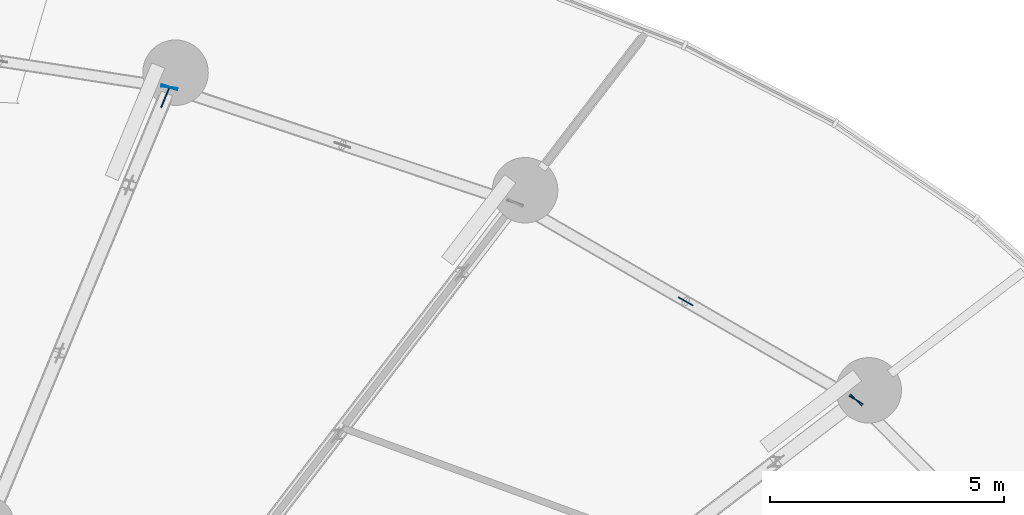
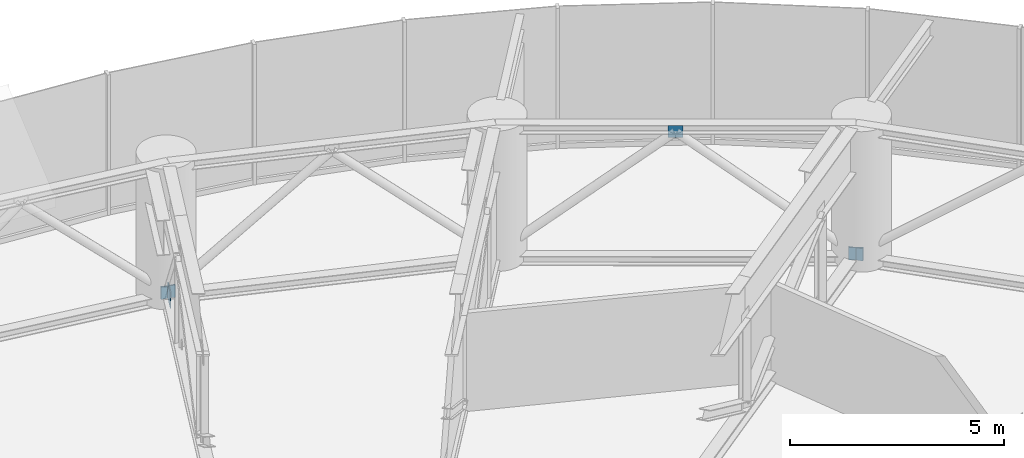
# One storey, part 37 of 42: 6 discrete accessories.
"""IFC4 building model written with IfcOpenShell, lengths in metres."""

from ifc_helpers import new_model, si_unit, direction, frame, origin, origin_2d, place, context, subcontext, project, spatial, rectangle, extrude, source, transform, mapped, material, layer, layer_set, type_object, element, save


model = new_model("IFC4")

# Units and contexts
model_context = context("Model", 3, precision=1e-05, world=origin(), true_north=direction((0.0, 1.0)))
body_context = subcontext(model_context, "Body", "Model", "MODEL_VIEW")
ifc_project = project(units=[si_unit("LENGTHUNIT", "METRE"), si_unit("AREAUNIT", "SQUARE_METRE"), si_unit("VOLUMEUNIT", "CUBIC_METRE"), si_unit("PLANEANGLEUNIT", "RADIAN"), si_unit("MASSUNIT", "GRAM", prefix="KILO")], contexts=[model_context])

# Site, building, storey
site_placement = place(None, origin())
site = spatial("IfcSite", under=ifc_project, at=site_placement, CompositionType="ELEMENT")
building_placement = place(site_placement, origin())
building = spatial("IfcBuilding", under=site, at=building_placement, Name="Spindrift Exchange Tower", CompositionType="ELEMENT")
storey_placement = place(building_placement, frame((0.0, 0.0, 75.39990234375)))
storey = spatial("IfcBuildingStorey", under=building, at=storey_placement, Name="L17", CompositionType="ELEMENT", Elevation=75.39990234375)

# Discrete accessories
ifc_material = material(Name="Steel Grade 350", Category="steel")
ifc_layer_1 = layer(ifc_material, 0.02490234375)
ifc_layer_set_1 = layer_set([ifc_layer_1], Name="Gusset plate 450x450x25 Steel Grade 350")
discrete_accessory_type_1 = type_object("IfcDiscreteAccessoryType", Name="Gusset plate 450x450x25 Steel Grade 350", PredefinedType="USERDEFINED", material=ifc_layer_set_1)
shared_shape_1 = source(origin(), body_context, "Body", "SweptSolid", [
    extrude(rectangle(XDim=0.449951171875, YDim=0.02490234375, at=origin_2d()), origin(), (0.0, 0.0, 1.0), 0.449951171875),
])
discrete_accessory_placement = place(storey_placement, frame((62.80078125, 74.075439453125, 0.10205078125), z_axis=(0.0, 0.0, 1.0), x_axis=(0.382664082593, 0.923887547212, 0.0)))
element("IfcDiscreteAccessory", 1, at=discrete_accessory_placement, inside=storey, type_object=discrete_accessory_type_1, Name="L17 gusset plate GP1 05", ObjectType="Gusset plate", PredefinedType="USERDEFINED", context=body_context, shape_type="MappedRepresentation", body=[
    mapped(shared_shape_1, transform((0.0, 0.0, 0.0), scale=1.0)),
])
ifc_layer_2 = layer(ifc_material, 0.02001953125)
ifc_layer_set_2 = layer_set([ifc_layer_2], Name="Gusset plate 350x350x20 Steel Grade 350")
discrete_accessory_type_2 = type_object("IfcDiscreteAccessoryType", Name="Gusset plate 350x350x20 Steel Grade 350", PredefinedType="USERDEFINED", material=ifc_layer_set_2)
shared_shape_2 = source(origin(), body_context, "Body", "SweptSolid", [
    extrude(rectangle(XDim=0.35009765625, YDim=0.02001953125, at=origin_2d()), origin(), (0.0, 0.0, 1.0), 0.35009765625),
])
for number, where, z_axis, x_axis, name in (
    (2, (77.56591796875, 67.6171875, 0.0849609375), (0.0, 0.0, 1.0), (-0.705964286099, 0.708247433284, 0.0), "L17 gusset plate GP2 02"),
    (3, (77.56591796875, 67.6171875, 0.0849609375), (0.0, 0.0, 1.0), (-0.865554654414, 0.50081447685, 0.0), "L17 gusset plate GP2 03"),
    (4, (73.925537109375, 69.7236328125, 3.56494140625), (0.0, 0.0, 1.0), (-0.865554654414, 0.50081447685, 0.0), "L17 gusset plate GP2 03"),
    (5, (62.892578125, 74.29736328125, 0.0849609375), (0.0, 0.0, 1.0), (-0.948559864901, 0.316597824848, 0.0), "L17 gusset plate GP2 04"),
    (6, (62.892578125, 74.29736328125, 0.0849609375), (0.0, 0.0, 1.0), (-0.988235322706, 0.152940991745, 0.0), "L17 gusset plate GP2 05"),
):
    element("IfcDiscreteAccessory", number, at=place(storey_placement, frame(where, z_axis=z_axis, x_axis=x_axis)), inside=storey, type_object=discrete_accessory_type_2, Name=name, ObjectType="Gusset plate", PredefinedType="USERDEFINED", context=body_context, shape_type="MappedRepresentation", body=[
        mapped(shared_shape_2, transform((0.0, 0.0, 0.0), scale=1.0)),
    ])

save(model, "model.ifc")
